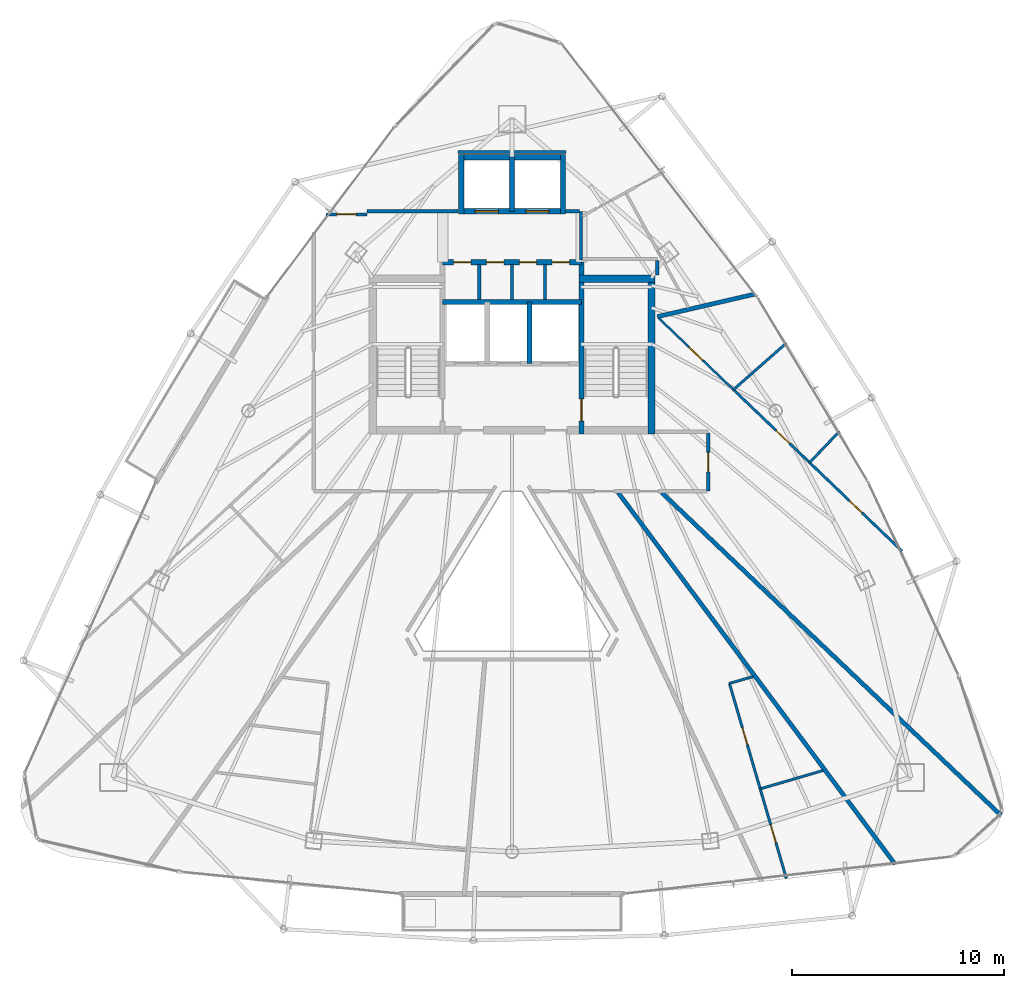
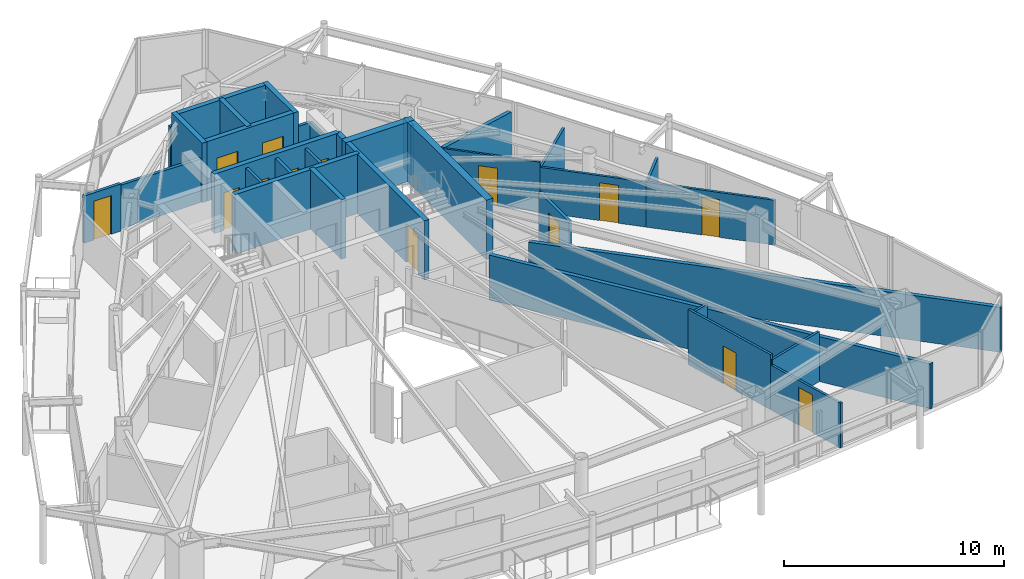
# One storey, part 28 of 32: 33 walls, 14 doors, 14 openings.
"""IFC4 building model written with IfcOpenShell, lengths in metres."""

from ifc_helpers import new_model, si_unit, direction, frame, frame_2d, origin, place, context, subcontext, project, spatial, rectangle, extrude, material, layer, layer_set, type_object, element, fill, save


model = new_model("IFC4")

# Units and contexts
model_context = context("Model", 3, precision=1e-05, world=origin(), true_north=direction((0.0, 1.0)))
body_context = subcontext(model_context, "Body", "Model", "MODEL_VIEW")
ifc_project = project(units=[si_unit("LENGTHUNIT", "METRE"), si_unit("AREAUNIT", "SQUARE_METRE"), si_unit("VOLUMEUNIT", "CUBIC_METRE"), si_unit("PLANEANGLEUNIT", "RADIAN"), si_unit("MASSUNIT", "GRAM", prefix="KILO")], contexts=[model_context])

# Site, building, storey
site_placement = place(None, origin())
site = spatial("IfcSite", under=ifc_project, at=site_placement, CompositionType="ELEMENT")
building_placement = place(site_placement, origin())
building = spatial("IfcBuilding", under=site, at=building_placement, Name="Orvanel Arch Residences", CompositionType="ELEMENT")
storey_placement = place(building_placement, frame((0.0, 0.0, 216.199951171875)))
storey = spatial("IfcBuildingStorey", under=building, at=storey_placement, Name="L61", CompositionType="ELEMENT", Elevation=216.199951171875)

# Wall, opening, door
ifc_material_1 = material(Name="Concrete N50 (50 MPa)", Category="concrete")
ifc_layer_1 = layer(ifc_material_1, 0.25)
ifc_layer_set_1 = layer_set([ifc_layer_1], Name="Concrete N50 (50 MPa)")
wall_type_1 = type_object("IfcWallType", Name="SW-CORE-250", PredefinedType="SHEAR", material=ifc_layer_set_1)
wall_1_placement = place(storey_placement, frame((36.27490234375, 26.550048828125, 0.0), z_axis=(0.0, 0.0, 1.0), x_axis=(0.0, 1.0, 0.0)))
wall_1 = element("IfcWall", 1, at=wall_1_placement, inside=storey, type_object=wall_type_1, Name="L61 East Inner Core Spine Shear Wall", PredefinedType="SHEAR", context=body_context, shape_type="SweptSolid", body=[
    extrude(rectangle(XDim=8.099853515625, YDim=0.25, at=frame_2d((4.0498046875, 0.0))), origin(), (0.0, 0.0, 1.0), 3.300048828125),
])
opening_1_placement = place(wall_1_placement, frame((0.60009765625, 0.0, 0.0)))
opening_1 = element("IfcOpeningElement", 2, at=opening_1_placement, cuts=wall_1, Name="Opening DF-120", PredefinedType="OPENING", context=body_context, shape_type="SweptSolid", body=[
    extrude(rectangle(XDim=1.050048828125, YDim=2.14990234375, at=frame_2d((0.52490234375, 1.074951171875))), frame((0.0, 0.135009765625, 0.0), z_axis=(0.0, -1.0, 0.0), x_axis=(1.0, 0.0, 0.0)), (0.0, 0.0, 1.0), 0.27001953125),
])
ifc_material_2 = material(Name="Galvanised steel fire-resisting door assembly", Category="steel")
door_type_1 = type_object("IfcDoorType", Name="DR-FD120-1050", OperationType="NOTDEFINED", PredefinedType="DOOR", material=ifc_material_2)
door_1_placement = place(opening_1_placement, origin())
door_1 = element("IfcDoor", 3, at=door_1_placement, inside=storey, type_object=door_type_1, Name="DR-L61-ST2 L61 Stair 2 Fire Door", OperationType="SINGLE_SWING_RIGHT", OverallHeight=2.14990234375, OverallWidth=1.050048828125, PredefinedType="DOOR", context=body_context, shape_type="SweptSolid", body=[
    extrude(rectangle(XDim=1.050048828125, YDim=2.14990234375, at=frame_2d((0.52490234375, 1.074951171875))), frame((0.0, 0.02490234375, 0.0), z_axis=(0.0, -1.0, 0.0), x_axis=(1.0, 0.0, 0.0)), (0.0, 0.0, 1.0), 0.050048828125),
])
fill(opening_1, door_1)

# Walls
wall_2_placement = place(storey_placement, frame((29.72509765625, 32.77490234375, 0.0), z_axis=(0.0, 0.0, 1.0), x_axis=(1.0, 0.0, 0.0)))
element("IfcWall", 4, at=wall_2_placement, inside=storey, type_object=wall_type_1, Name="L61 Emergency Lift Back Core Shear Wall", PredefinedType="SHEAR", context=body_context, shape_type="SweptSolid", body=[
    extrude(rectangle(XDim=6.5498046875, YDim=0.25, at=frame_2d((3.27490234375, 0.0))), origin(), (0.0, 0.0, 1.0), 3.300048828125),
])
wall_3_placement = place(storey_placement, frame((33.824951171875, 29.875, 0.0), z_axis=(0.0, 0.0, 1.0), x_axis=(0.0, 1.0, 0.0)))
element("IfcWall", 5, at=wall_3_placement, inside=storey, type_object=wall_type_1, Name="L61 Emergency Lift Inter-Shaft Wall F2G", PredefinedType="SHEAR", context=body_context, shape_type="SweptSolid", body=[
    extrude(rectangle(XDim=2.89990234375, YDim=0.25, at=frame_2d((1.449951171875, 0.0))), origin(), (0.0, 0.0, 1.0), 3.300048828125),
])

# Wall, openings, doors
wall_4_placement = place(storey_placement, frame((29.72509765625, 34.64990234375, 0.0), z_axis=(0.0, 0.0, 1.0), x_axis=(1.0, 0.0, 0.0)))
wall_4 = element("IfcWall", 6, at=wall_4_placement, inside=storey, type_object=wall_type_1, Name="L61 Core Service Band North Shear Wall", PredefinedType="SHEAR", context=body_context, shape_type="SweptSolid", body=[
    extrude(rectangle(XDim=6.5498046875, YDim=0.25, at=frame_2d((3.27490234375, 0.0))), origin(), (0.0, 0.0, 1.0), 3.300048828125),
])
opening_2_placement = place(wall_4_placement, frame((0.514892578125, 0.0, 0.0)))
opening_2 = element("IfcOpeningElement", 7, at=opening_2_placement, cuts=wall_4, Name="Opening DS-082", PredefinedType="OPENING", context=body_context, shape_type="SweptSolid", body=[
    extrude(rectangle(XDim=0.820068359375, YDim=2.10009765625, at=frame_2d((0.41015625, 1.050048828125))), frame((0.0, 0.135009765625, 0.0), z_axis=(0.0, -1.0, 0.0), x_axis=(1.0, 0.0, 0.0)), (0.0, 0.0, 1.0), 0.27001953125),
])
opening_3_placement = place(wall_4_placement, frame((2.06494140625, 0.0, 0.0)))
opening_3 = element("IfcOpeningElement", 8, at=opening_3_placement, cuts=wall_4, Name="Opening DS-082", PredefinedType="OPENING", context=body_context, shape_type="SweptSolid", body=[
    extrude(rectangle(XDim=0.820068359375, YDim=2.10009765625, at=frame_2d((0.41015625, 1.050048828125))), frame((0.0, 0.135009765625, 0.0), z_axis=(0.0, -1.0, 0.0), x_axis=(1.0, 0.0, 0.0)), (0.0, 0.0, 1.0), 0.27001953125),
])
opening_4_placement = place(wall_4_placement, frame((3.614990234375, 0.0, 0.0)))
opening_4 = element("IfcOpeningElement", 9, at=opening_4_placement, cuts=wall_4, Name="Opening DS-082", PredefinedType="OPENING", context=body_context, shape_type="SweptSolid", body=[
    extrude(rectangle(XDim=0.820068359375, YDim=2.10009765625, at=frame_2d((0.41015625, 1.050048828125))), frame((0.0, 0.135009765625, 0.0), z_axis=(0.0, -1.0, 0.0), x_axis=(1.0, 0.0, 0.0)), (0.0, 0.0, 1.0), 0.27001953125),
])
opening_5_placement = place(wall_4_placement, frame((5.1650390625, 0.0, 0.0)))
opening_5 = element("IfcOpeningElement", 10, at=opening_5_placement, cuts=wall_4, Name="Opening DS-082", PredefinedType="OPENING", context=body_context, shape_type="SweptSolid", body=[
    extrude(rectangle(XDim=0.820068359375, YDim=2.10009765625, at=frame_2d((0.41015625, 1.050048828125))), frame((0.0, 0.135009765625, 0.0), z_axis=(0.0, -1.0, 0.0), x_axis=(1.0, 0.0, 0.0)), (0.0, 0.0, 1.0), 0.27001953125),
])
door_type_2 = type_object("IfcDoorType", Name="DR-SVC-820", OperationType="NOTDEFINED", PredefinedType="DOOR", material=ifc_material_2)
door_2_placement = place(opening_2_placement, origin())
door_2 = element("IfcDoor", 11, at=door_2_placement, inside=storey, type_object=door_type_2, Name="DR-L61-CSVC-1 L61 Linen Store Door", OperationType="SINGLE_SWING_LEFT", OverallHeight=2.10009765625, OverallWidth=0.820068359375, PredefinedType="DOOR", context=body_context, shape_type="SweptSolid", body=[
    extrude(rectangle(XDim=0.820068359375, YDim=2.10009765625, at=frame_2d((0.41015625, 1.050048828125))), frame((0.0, 0.02490234375, 0.0), z_axis=(0.0, -1.0, 0.0), x_axis=(1.0, 0.0, 0.0)), (0.0, 0.0, 1.0), 0.050048828125),
])
fill(opening_2, door_2)
door_3_placement = place(opening_3_placement, origin())
door_3 = element("IfcDoor", 12, at=door_3_placement, inside=storey, type_object=door_type_2, Name="DR-L61-CSVC-2 L61 Cleaner's Store Door", OperationType="SINGLE_SWING_LEFT", OverallHeight=2.10009765625, OverallWidth=0.820068359375, PredefinedType="DOOR", context=body_context, shape_type="SweptSolid", body=[
    extrude(rectangle(XDim=0.820068359375, YDim=2.10009765625, at=frame_2d((0.41015625, 1.050048828125))), frame((0.0, 0.02490234375, 0.0), z_axis=(0.0, -1.0, 0.0), x_axis=(1.0, 0.0, 0.0)), (0.0, 0.0, 1.0), 0.050048828125),
])
fill(opening_3, door_3)
door_4_placement = place(opening_4_placement, origin())
door_4 = element("IfcDoor", 13, at=door_4_placement, inside=storey, type_object=door_type_2, Name="DR-L61-CSVC-3 L61 Electrical Meter Store Door", OperationType="SINGLE_SWING_LEFT", OverallHeight=2.10009765625, OverallWidth=0.820068359375, PredefinedType="DOOR", context=body_context, shape_type="SweptSolid", body=[
    extrude(rectangle(XDim=0.820068359375, YDim=2.10009765625, at=frame_2d((0.41015625, 1.050048828125))), frame((0.0, 0.02490234375, 0.0), z_axis=(0.0, -1.0, 0.0), x_axis=(1.0, 0.0, 0.0)), (0.0, 0.0, 1.0), 0.050048828125),
])
fill(opening_4, door_4)
door_5_placement = place(opening_5_placement, origin())
door_5 = element("IfcDoor", 14, at=door_5_placement, inside=storey, type_object=door_type_2, Name="DR-L61-CSVC-4 L61 Housekeeping Supply Store Door", OperationType="SINGLE_SWING_LEFT", OverallHeight=2.10009765625, OverallWidth=0.820068359375, PredefinedType="DOOR", context=body_context, shape_type="SweptSolid", body=[
    extrude(rectangle(XDim=0.820068359375, YDim=2.10009765625, at=frame_2d((0.41015625, 1.050048828125))), frame((0.0, 0.02490234375, 0.0), z_axis=(0.0, -1.0, 0.0), x_axis=(1.0, 0.0, 0.0)), (0.0, 0.0, 1.0), 0.050048828125),
])
fill(opening_5, door_5)

wall_5_placement = place(storey_placement, frame((35.52490234375, 37.050048828125, 0.0), z_axis=(0.0, 0.0, 1.0), x_axis=(-1.0, 0.0, 0.0)))
wall_5 = element("IfcWall", 15, at=wall_5_placement, inside=storey, type_object=wall_type_1, Name="L61 Passenger Lift Bank Front Shear Wall", PredefinedType="SHEAR", context=body_context, shape_type="SweptSolid", body=[
    extrude(rectangle(XDim=5.0498046875, YDim=0.25, at=frame_2d((2.52490234375, 0.0))), origin(), (0.0, 0.0, 1.0), 3.300048828125),
])
opening_6_placement = place(wall_5_placement, frame((3.175048828125, 0.0, 0.0)))
opening_6 = element("IfcOpeningElement", 16, at=opening_6_placement, cuts=wall_5, Name="Opening LD-110", PredefinedType="OPENING", context=body_context, shape_type="SweptSolid", body=[
    extrude(rectangle(XDim=1.10009765625, YDim=2.199951171875, at=frame_2d((0.550048828125, 1.10009765625))), frame((0.0, 0.135009765625, 0.0), z_axis=(0.0, -1.0, 0.0), x_axis=(1.0, 0.0, 0.0)), (0.0, 0.0, 1.0), 0.27001953125),
])
opening_7_placement = place(wall_5_placement, frame((0.77490234375, 0.0, 0.0)))
opening_7 = element("IfcOpeningElement", 17, at=opening_7_placement, cuts=wall_5, Name="Opening LD-110", PredefinedType="OPENING", context=body_context, shape_type="SweptSolid", body=[
    extrude(rectangle(XDim=1.10009765625, YDim=2.199951171875, at=frame_2d((0.550048828125, 1.10009765625))), frame((0.0, 0.135009765625, 0.0), z_axis=(0.0, -1.0, 0.0), x_axis=(1.0, 0.0, 0.0)), (0.0, 0.0, 1.0), 0.27001953125),
])
door_type_3 = type_object("IfcDoorType", Name="DR-LFT-1100", OperationType="NOTDEFINED", PredefinedType="DOOR", material=ifc_material_2)
door_6_placement = place(opening_6_placement, origin())
door_6 = element("IfcDoor", 18, at=door_6_placement, inside=storey, type_object=door_type_3, Name="LD-P5-L61 L61 Passenger Lift P5 Sliding Landing Door", OperationType="DOUBLE_DOOR_SLIDING", OverallHeight=2.199951171875, OverallWidth=1.10009765625, PredefinedType="DOOR", context=body_context, shape_type="SweptSolid", body=[
    extrude(rectangle(XDim=1.10009765625, YDim=2.199951171875, at=frame_2d((0.550048828125, 1.10009765625))), frame((0.0, 0.02490234375, 0.0), z_axis=(0.0, -1.0, 0.0), x_axis=(1.0, 0.0, 0.0)), (0.0, 0.0, 1.0), 0.050048828125),
])
fill(opening_6, door_6)
door_7_placement = place(opening_7_placement, origin())
door_7 = element("IfcDoor", 19, at=door_7_placement, inside=storey, type_object=door_type_3, Name="LD-P6-L61 L61 Passenger Lift P6 Sliding Landing Door", OperationType="DOUBLE_DOOR_SLIDING", OverallHeight=2.199951171875, OverallWidth=1.10009765625, PredefinedType="DOOR", context=body_context, shape_type="SweptSolid", body=[
    extrude(rectangle(XDim=1.10009765625, YDim=2.199951171875, at=frame_2d((0.550048828125, 1.10009765625))), frame((0.0, 0.02490234375, 0.0), z_axis=(0.0, -1.0, 0.0), x_axis=(1.0, 0.0, 0.0)), (0.0, 0.0, 1.0), 0.050048828125),
])
fill(opening_7, door_7)

# Walls
wall_6_placement = place(storey_placement, frame((30.47509765625, 39.60009765625, 0.0), z_axis=(0.0, 0.0, 1.0), x_axis=(1.0, 0.0, 0.0)))
element("IfcWall", 20, at=wall_6_placement, inside=storey, type_object=wall_type_1, Name="L61 Passenger Lift Bank North Shear Wall", PredefinedType="SHEAR", context=body_context, shape_type="SweptSolid", body=[
    extrude(rectangle(XDim=5.0498046875, YDim=0.25, at=frame_2d((2.52490234375, 0.0))), origin(), (0.0, 0.0, 1.0), 3.300048828125),
])
for number, where, z_axis, x_axis, name in (
    (21, (30.60009765625, 36.925048828125, 0.0), (0.0, 0.0, 1.0), (0.0, 1.0, 0.0), "L61 Passenger Lift Bank West Shear Wall"),
    (22, (35.39990234375, 36.925048828125, 0.0), (0.0, 0.0, 1.0), (0.0, 1.0, 0.0), "L61 Passenger Lift Bank East Shear Wall"),
):
    element("IfcWall", number, at=place(storey_placement, frame(where, z_axis=z_axis, x_axis=x_axis)), inside=storey, type_object=wall_type_1, Name=name, PredefinedType="SHEAR", context=body_context, shape_type="SweptSolid", body=[
        extrude(rectangle(XDim=2.800048828125, YDim=0.25, at=frame_2d((1.39990234375, 0.0))), origin(), (0.0, 0.0, 1.0), 3.300048828125),
    ])
wall_7_placement = place(storey_placement, frame((33.0, 37.050048828125, 0.0), z_axis=(0.0, 0.0, 1.0), x_axis=(0.0, 1.0, 0.0)))
element("IfcWall", 23, at=wall_7_placement, inside=storey, type_object=wall_type_1, Name="L61 Passenger Lift Inter-Shaft Wall P56", PredefinedType="SHEAR", context=body_context, shape_type="SweptSolid", body=[
    extrude(rectangle(XDim=2.550048828125, YDim=0.25, at=frame_2d((1.27490234375, 0.0))), origin(), (0.0, 0.0, 1.0), 3.300048828125),
])
ifc_layer_2 = layer(ifc_material_1, 0.35009765625)
ifc_layer_set_2 = layer_set([ifc_layer_2], Name="Concrete N50 (50 MPa)")
wall_type_2 = type_object("IfcWallType", Name="SW-CORE-350", PredefinedType="SHEAR", material=ifc_layer_set_2)
wall_8_placement = place(storey_placement, frame((39.574951171875, 26.550048828125, 0.0), z_axis=(0.0, 0.0, 1.0), x_axis=(0.0, 1.0, 0.0)))
element("IfcWall", 24, at=wall_8_placement, inside=storey, type_object=wall_type_2, Name="L61 East Stair Shear Wall", PredefinedType="SHEAR", context=body_context, shape_type="SweptSolid", body=[
    extrude(rectangle(XDim=7.5, YDim=0.35009765625, at=frame_2d((3.75, 0.0))), origin(), (0.0, 0.0, 1.0), 3.300048828125),
])
wall_9_placement = place(storey_placement, frame((36.14990234375, 33.875, 0.0), z_axis=(0.0, 0.0, 1.0), x_axis=(1.0, 0.0, 0.0)))
element("IfcWall", 25, at=wall_9_placement, inside=storey, type_object=wall_type_2, Name="L61 East Stair North Shear Wall", PredefinedType="SHEAR", context=body_context, shape_type="SweptSolid", body=[
    extrude(rectangle(XDim=3.60009765625, YDim=0.35009765625, at=frame_2d((1.800048828125, 0.0))), origin(), (0.0, 0.0, 1.0), 3.300048828125),
])
ifc_material_3 = material(Name="Fire-rated plasterboard lined steel stud partition", Category="steel")
ifc_layer_3 = layer(ifc_material_3, 0.14990234375)
ifc_layer_set_3 = layer_set([ifc_layer_3], Name="Fire-rated plasterboard lined steel stud partition")
wall_type_3 = type_object("IfcWallType", Name="W-COR-150", PredefinedType="PARTITIONING", material=ifc_layer_set_3)
wall_10_placement = place(storey_placement, frame((36.25, 34.760009765625, 0.0), z_axis=(0.0, 0.0, 1.0), x_axis=(0.0, 1.0, 0.0)))
element("IfcWall", 26, at=wall_10_placement, inside=storey, type_object=wall_type_3, Name="L61 Passenger Lift Lobby East Closure Wall", PredefinedType="PARTITIONING", context=body_context, shape_type="SweptSolid", body=[
    extrude(rectangle(XDim=2.2900390625, YDim=0.14990234375, at=frame_2d((1.14501953125, 0.0))), origin(), (0.0, 0.0, 1.0), 2.425048828125),
])
wall_11_placement = place(storey_placement, frame((35.52490234375, 37.050048828125, 0.0), z_axis=(0.0, 0.0, 1.0), x_axis=(1.0, 0.0, 0.0)))
element("IfcWall", 27, at=wall_11_placement, inside=storey, type_object=wall_type_3, Name="L61 Passenger Lift Lobby North-East Wall", PredefinedType="PARTITIONING", context=body_context, shape_type="SweptSolid", body=[
    extrude(rectangle(XDim=0.6650390625, YDim=0.14990234375, at=frame_2d((0.33251953125, 0.0))), origin(), (0.0, 0.0, 1.0), 2.425048828125),
])

# Wall, opening, door
wall_12_placement = place(storey_placement, frame((24.22607421875, 36.89990234375, 0.0), z_axis=(0.0, 0.0, 1.0), x_axis=(1.0, 0.0, 0.0)))
wall_12 = element("IfcWall", 28, at=wall_12_placement, inside=storey, type_object=wall_type_3, Name="L61 Corridor Fire-Rated Partition", PredefinedType="PARTITIONING", context=body_context, shape_type="SweptSolid", body=[
    extrude(rectangle(XDim=1.923828125, YDim=0.14990234375, at=frame_2d((0.9619140625, 0.0))), origin(), (0.0, 0.0, 1.0), 2.619140625),
])
opening_8_placement = place(wall_12_placement, frame((0.501953125, 0.0, 0.0)))
opening_8 = element("IfcOpeningElement", 29, at=opening_8_placement, cuts=wall_12, Name="Opening DA-092", PredefinedType="OPENING", context=body_context, shape_type="SweptSolid", body=[
    extrude(rectangle(XDim=0.919921875, YDim=2.14990234375, at=frame_2d((0.4599609375, 1.074951171875))), frame((0.0, 0.0849609375, 0.0), z_axis=(0.0, -1.0, 0.0), x_axis=(1.0, 0.0, 0.0)), (0.0, 0.0, 1.0), 0.169921875),
])
ifc_material_4 = material(Name="Solid-core European oak veneer fire door leaf", Category="wood")
door_type_4 = type_object("IfcDoorType", Name="DR-APT-920", OperationType="NOTDEFINED", PredefinedType="DOOR", material=ifc_material_4)
door_8_placement = place(opening_8_placement, origin())
door_8 = element("IfcDoor", 30, at=door_8_placement, inside=storey, type_object=door_type_4, Name="DR-L61-E-ENT L61 Studio E Entrance Door", OperationType="SINGLE_SWING_RIGHT", OverallHeight=2.14990234375, OverallWidth=0.919921875, PredefinedType="DOOR", context=body_context, shape_type="SweptSolid", body=[
    extrude(rectangle(XDim=0.919921875, YDim=2.14990234375, at=frame_2d((0.4599609375, 1.074951171875))), frame((0.0, 0.02490234375, 0.0), z_axis=(0.0, -1.0, 0.0), x_axis=(1.0, 0.0, 0.0)), (0.0, 0.0, 1.0), 0.050048828125),
])
fill(opening_8, door_8)

wall_13_placement = place(storey_placement, frame((42.25, 26.590087890625, 0.0), z_axis=(0.0, 0.0, 1.0), x_axis=(0.0, -1.0, 0.0)))
wall_13 = element("IfcWall", 31, at=wall_13_placement, inside=storey, type_object=wall_type_3, Name="L61 Corridor Fire-Rated Partition", PredefinedType="PARTITIONING", context=body_context, shape_type="SweptSolid", body=[
    extrude(rectangle(XDim=2.739990234375, YDim=0.14990234375, at=frame_2d((1.3701171875, 0.0))), origin(), (0.0, 0.0, 1.0), 2.77294921875),
])
opening_9_placement = place(wall_13_placement, frame((0.909912109375, 0.0, 0.0)))
opening_9 = element("IfcOpeningElement", 32, at=opening_9_placement, cuts=wall_13, Name="Opening DA-092", PredefinedType="OPENING", context=body_context, shape_type="SweptSolid", body=[
    extrude(rectangle(XDim=0.919921875, YDim=2.14990234375, at=frame_2d((0.4599609375, 1.074951171875))), frame((0.0, 0.0849609375, 0.0), z_axis=(0.0, -1.0, 0.0), x_axis=(1.0, 0.0, 0.0)), (0.0, 0.0, 1.0), 0.169921875),
])
door_9_placement = place(opening_9_placement, origin())
door_9 = element("IfcDoor", 33, at=door_9_placement, inside=storey, type_object=door_type_4, Name="DR-L61-B-ENT L61 Studio B Entrance Door", OperationType="SINGLE_SWING_LEFT", OverallHeight=2.14990234375, OverallWidth=0.919921875, PredefinedType="DOOR", context=body_context, shape_type="SweptSolid", body=[
    extrude(rectangle(XDim=0.919921875, YDim=2.14990234375, at=frame_2d((0.4599609375, 1.074951171875))), frame((0.0, 0.02490234375, 0.0), z_axis=(0.0, -1.0, 0.0), x_axis=(1.0, 0.0, 0.0)), (0.0, 0.0, 1.0), 0.050048828125),
])
fill(opening_9, door_9)

# Walls
wall_14_placement = place(storey_placement, frame((26.14990234375, 37.050048828125, 0.0), z_axis=(0.0, 0.0, 1.0), x_axis=(1.0, 0.0, 0.0)))
element("IfcWall", 34, at=wall_14_placement, inside=storey, type_object=wall_type_3, Name="L61 Core Perimeter Partition", PredefinedType="PARTITIONING", context=body_context, shape_type="SweptSolid", body=[
    extrude(rectangle(XDim=4.300048828125, YDim=0.14990234375, at=frame_2d((2.14990234375, 0.0))), origin(), (0.0, 0.0, 1.0), 2.425048828125),
])
wall_15_placement = place(storey_placement, frame((30.449951171875, 39.85009765625, 0.0), z_axis=(0.0, 0.0, 1.0), x_axis=(1.0, 0.0, 0.0)))
element("IfcWall", 35, at=wall_15_placement, inside=storey, type_object=wall_type_3, Name="L61 Core Perimeter Partition", PredefinedType="PARTITIONING", context=body_context, shape_type="SweptSolid", body=[
    extrude(rectangle(XDim=5.10009765625, YDim=0.14990234375, at=frame_2d((2.550048828125, 0.0))), origin(), (0.0, 0.0, 1.0), 2.491943359375),
])
wall_16_placement = place(storey_placement, frame((39.85009765625, 34.739990234375, 0.0), z_axis=(0.0, 0.0, 1.0), x_axis=(0.0, -1.0, 0.0)))
element("IfcWall", 36, at=wall_16_placement, inside=storey, type_object=wall_type_3, Name="L61 Core Perimeter Partition", PredefinedType="PARTITIONING", context=body_context, shape_type="SweptSolid", body=[
    extrude(rectangle(XDim=0.68994140625, YDim=0.14990234375, at=frame_2d((0.344970703125, 0.0))), origin(), (0.0, 0.0, 1.0), 2.77294921875),
])
ifc_layer_4 = layer(ifc_material_3, 0.199951171875)
ifc_layer_set_4 = layer_set([ifc_layer_4], Name="Fire-rated plasterboard lined steel stud partition")
wall_type_4 = type_object("IfcWallType", Name="W-DEM-200", PredefinedType="PARTITIONING", material=ifc_layer_set_4)
wall_17_placement = place(storey_placement, frame((39.85009765625, 32.0810546875, 0.0), z_axis=(0.0, 0.0, 1.0), x_axis=(0.974339670333, 0.225082666628, 0.0)))
element("IfcWall", 37, at=wall_17_placement, inside=storey, type_object=wall_type_4, Name="L61 Inter-Tenancy Acoustic Demising Wall", PredefinedType="PARTITIONING", context=body_context, shape_type="SweptSolid", body=[
    extrude(rectangle(XDim=4.7138671875, YDim=0.199951171875, at=frame_2d((2.35693359375, 0.0))), origin(), (0.0, 0.0, 1.0), 2.491943359375),
])
wall_18_placement = place(storey_placement, frame((56.05908203125, 8.56298828125, 0.0), z_axis=(0.0, 0.0, 1.0), x_axis=(-0.724518891706, 0.689254942355, 0.0)))
element("IfcWall", 38, at=wall_18_placement, inside=storey, type_object=wall_type_4, Name="L61 Inter-Tenancy Acoustic Demising Wall", PredefinedType="PARTITIONING", context=body_context, shape_type="SweptSolid", body=[
    extrude(rectangle(XDim=22.092041015625, YDim=0.199951171875, at=frame_2d((11.0458984375, 0.0))), origin(), (0.0, 0.0, 1.0), 2.491943359375),
])
wall_19_placement = place(storey_placement, frame((51.072021484375, 6.2509765625, 0.0), z_axis=(0.0, 0.0, 1.0), x_axis=(-0.59756139073, 0.801823162742, 0.0)))
element("IfcWall", 39, at=wall_19_placement, inside=storey, type_object=wall_type_4, Name="L61 Inter-Tenancy Acoustic Demising Wall", PredefinedType="PARTITIONING", context=body_context, shape_type="SweptSolid", body=[
    extrude(rectangle(XDim=21.8740234375, YDim=0.199951171875, at=frame_2d((10.93701171875, 0.0))), origin(), (0.0, 0.0, 1.0), 2.491943359375),
])

# Wall, opening, door
ifc_material_5 = material(Name="Acoustic plasterboard lined twin-stud partition", Category="gypsum")
ifc_layer_5 = layer(ifc_material_5, 0.10009765625)
ifc_layer_set_5 = layer_set([ifc_layer_5], Name="Acoustic plasterboard lined twin-stud partition")
wall_type_5 = type_object("IfcWallType", Name="W-INT-100", PredefinedType="PARTITIONING", material=ifc_layer_set_5)
wall_20_placement = place(storey_placement, frame((39.91796875, 32.010009765625, 0.0), z_axis=(0.0, 0.0, 1.0), x_axis=(0.722311203135, -0.691568164266, 0.0)))
wall_20 = element("IfcWall", 40, at=wall_20_placement, inside=storey, type_object=wall_type_5, Name="L61 Studio B Internal Partition", PredefinedType="PARTITIONING", context=body_context, shape_type="SweptSolid", body=[
    extrude(rectangle(XDim=4.8759765625, YDim=0.10009765625, at=frame_2d((2.43798828125, 0.0))), origin(), (0.0, 0.0, 1.0), 2.77294921875),
])
opening_10_placement = place(wall_20_placement, frame((1.998046875, 0.0, 0.0)))
opening_10 = element("IfcOpeningElement", 41, at=opening_10_placement, cuts=wall_20, Name="Opening DI-088", PredefinedType="OPENING", context=body_context, shape_type="SweptSolid", body=[
    extrude(rectangle(XDim=0.8798828125, YDim=2.10009765625, at=frame_2d((0.43994140625, 1.050048828125))), frame((0.0, 0.06005859375, 0.0), z_axis=(0.0, -1.0, 0.0), x_axis=(1.0, 0.0, 0.0)), (0.0, 0.0, 1.0), 0.1201171875),
])
door_type_5 = type_object("IfcDoorType", Name="DR-INT-880", OperationType="NOTDEFINED", PredefinedType="DOOR", material=ifc_material_4)
door_10_placement = place(opening_10_placement, origin())
door_10 = element("IfcDoor", 42, at=door_10_placement, inside=storey, type_object=door_type_5, Name="DR-L61-B-AME1 L61 Studio B Resident Reading Library 1 Door", OperationType="SINGLE_SWING_LEFT", OverallHeight=2.10009765625, OverallWidth=0.8798828125, PredefinedType="DOOR", context=body_context, shape_type="SweptSolid", body=[
    extrude(rectangle(XDim=0.8798828125, YDim=2.10009765625, at=frame_2d((0.43994140625, 1.050048828125))), frame((0.0, 0.02490234375, 0.0), z_axis=(0.0, -1.0, 0.0), x_axis=(1.0, 0.0, 0.0)), (0.0, 0.0, 1.0), 0.050048828125),
])
fill(opening_10, door_10)

# Walls
ifc_layer_6 = layer(ifc_material_3, 0.14990234375)
ifc_layer_set_6 = layer_set([ifc_layer_6], Name="Fire-rated plasterboard lined steel stud partition")
wall_type_6 = type_object("IfcWallType", Name="W-ST-150", PredefinedType="PARTITIONING", material=ifc_layer_set_6)
for number, where, z_axis, x_axis, name in (
    (43, (31.449951171875, 32.885009765625, 0.0), (0.0, 0.0, 1.0), (0.0, 1.0, 0.0), "L61 Core Service Partition 1"),
    (44, (33.0, 32.885009765625, 0.0), (0.0, 0.0, 1.0), (0.0, 1.0, 0.0), "L61 Core Service Partition 2"),
    (45, (34.550048828125, 32.885009765625, 0.0), (0.0, 0.0, 1.0), (0.0, 1.0, 0.0), "L61 Core Service Partition 3"),
):
    element("IfcWall", number, at=place(storey_placement, frame(where, z_axis=z_axis, x_axis=x_axis)), inside=storey, type_object=wall_type_6, Name=name, PredefinedType="PARTITIONING", context=body_context, shape_type="SweptSolid", body=[
        extrude(rectangle(XDim=1.655029296875, YDim=0.14990234375, at=frame_2d((0.82763671875, 0.0))), origin(), (0.0, 0.0, 1.0), 3.06005859375),
    ])

# Wall, opening, door
ifc_layer_7 = layer(ifc_material_5, 0.1201171875)
ifc_layer_set_7 = layer_set([ifc_layer_7], Name="Acoustic plasterboard lined twin-stud partition")
wall_type_7 = type_object("IfcWallType", Name="W-WET-120", PredefinedType="PARTITIONING", material=ifc_layer_set_7)
wall_21_placement = place(storey_placement, frame((47.030029296875, 25.199951171875, 0.0), z_axis=(0.0, 0.0, 1.0), x_axis=(0.722345830301, -0.691531995968, 0.0)))
wall_21 = element("IfcWall", 46, at=wall_21_placement, inside=storey, type_object=wall_type_7, Name="L61 Studio B Bathroom Partition", PredefinedType="PARTITIONING", context=body_context, shape_type="SweptSolid", body=[
    extrude(rectangle(XDim=6.037353515625, YDim=0.1201171875, at=frame_2d((3.0185546875, 0.0))), origin(), (0.0, 0.0, 1.0), 2.491943359375),
])
opening_11_placement = place(wall_21_placement, frame((2.60888671875, 0.0, 0.0)))
opening_11 = element("IfcOpeningElement", 47, at=opening_11_placement, cuts=wall_21, Name="Opening DW-082", PredefinedType="OPENING", context=body_context, shape_type="SweptSolid", body=[
    extrude(rectangle(XDim=0.820068359375, YDim=2.10009765625, at=frame_2d((0.41015625, 1.050048828125))), frame((0.0, 0.070068359375, 0.0), z_axis=(0.0, -1.0, 0.0), x_axis=(1.0, 0.0, 0.0)), (0.0, 0.0, 1.0), 0.14013671875),
])
door_type_6 = type_object("IfcDoorType", Name="DR-WET-820", OperationType="NOTDEFINED", PredefinedType="DOOR", material=ifc_material_4)
door_11_placement = place(opening_11_placement, origin())
door_11 = element("IfcDoor", 48, at=door_11_placement, inside=storey, type_object=door_type_6, Name="DR-L61-B-BATH L61 Studio B Bathroom Door", OperationType="SINGLE_SWING_RIGHT", OverallHeight=2.10009765625, OverallWidth=0.820068359375, PredefinedType="DOOR", context=body_context, shape_type="SweptSolid", body=[
    extrude(rectangle(XDim=0.820068359375, YDim=2.10009765625, at=frame_2d((0.41015625, 1.050048828125))), frame((0.0, 0.02490234375, 0.0), z_axis=(0.0, -1.0, 0.0), x_axis=(1.0, 0.0, 0.0)), (0.0, 0.0, 1.0), 0.050048828125),
])
fill(opening_11, door_11)

wall_22_placement = place(storey_placement, frame((43.43994140625, 28.637939453125, 0.0), z_axis=(0.0, 0.0, 1.0), x_axis=(0.722240667523, -0.691641827954, 0.0)))
wall_22 = element("IfcWall", 49, at=wall_22_placement, inside=storey, type_object=wall_type_7, Name="L61 Studio B Internal Partition", PredefinedType="PARTITIONING", context=body_context, shape_type="SweptSolid", body=[
    extrude(rectangle(XDim=4.970703125, YDim=0.1201171875, at=frame_2d((2.4853515625, 0.0))), origin(), (0.0, 0.0, 1.0), 2.491943359375),
])
opening_12_placement = place(wall_22_placement, frame((2.784912109375, 0.0, 0.0)))
opening_12 = element("IfcOpeningElement", 50, at=opening_12_placement, cuts=wall_22, Name="Opening DI-088", PredefinedType="OPENING", context=body_context, shape_type="SweptSolid", body=[
    extrude(rectangle(XDim=0.8798828125, YDim=2.10009765625, at=frame_2d((0.43994140625, 1.050048828125))), frame((0.0, 0.070068359375, 0.0), z_axis=(0.0, -1.0, 0.0), x_axis=(1.0, 0.0, 0.0)), (0.0, 0.0, 1.0), 0.14013671875),
])
door_12_placement = place(opening_12_placement, origin())
door_12 = element("IfcDoor", 51, at=door_12_placement, inside=storey, type_object=door_type_5, Name="DR-L61-B-KIT L61 Studio B Kitchenette Door", OperationType="SINGLE_SWING_LEFT", OverallHeight=2.10009765625, OverallWidth=0.8798828125, PredefinedType="DOOR", context=body_context, shape_type="SweptSolid", body=[
    extrude(rectangle(XDim=0.8798828125, YDim=2.10009765625, at=frame_2d((0.43994140625, 1.050048828125))), frame((0.0, 0.02490234375, 0.0), z_axis=(0.0, -1.0, 0.0), x_axis=(1.0, 0.0, 0.0)), (0.0, 0.0, 1.0), 0.050048828125),
])
fill(opening_12, door_12)

# Walls
wall_23_placement = place(storey_placement, frame((47.030029296875, 25.199951171875, 0.0), z_axis=(0.0, 0.0, 1.0), x_axis=(0.691459612883, 0.722415118717, 0.0)))
element("IfcWall", 52, at=wall_23_placement, inside=storey, type_object=wall_type_7, Name="L61 Studio B Bathroom Partition", PredefinedType="PARTITIONING", context=body_context, shape_type="SweptSolid", body=[
    extrude(rectangle(XDim=2.034912109375, YDim=0.1201171875, at=frame_2d((1.017578125, 0.0))), origin(), (0.0, 0.0, 1.0), 2.491943359375),
])
wall_24_placement = place(storey_placement, frame((43.43994140625, 28.637939453125, 0.0), z_axis=(0.0, 0.0, 1.0), x_axis=(0.750679989093, 0.66066599275, 0.0)))
element("IfcWall", 53, at=wall_24_placement, inside=storey, type_object=wall_type_7, Name="L61 Studio B Internal Partition", PredefinedType="PARTITIONING", context=body_context, shape_type="SweptSolid", body=[
    extrude(rectangle(XDim=3.322509765625, YDim=0.1201171875, at=frame_2d((1.6611328125, 0.0))), origin(), (0.0, 0.0, 1.0), 2.491943359375),
])
wall_25_placement = place(storey_placement, frame((44.363037109375, 15.110107421875, 0.0), z_axis=(0.0, 0.0, 1.0), x_axis=(-0.960030681494, -0.279894784857, 0.0)))
element("IfcWall", 54, at=wall_25_placement, inside=storey, type_object=wall_type_7, Name="L61 Studio H Bathroom Partition", PredefinedType="PARTITIONING", context=body_context, shape_type="SweptSolid", body=[
    extrude(rectangle(XDim=1.158447265625, YDim=0.1201171875, at=frame_2d((0.5791015625, 0.0))), origin(), (0.0, 0.0, 1.0), 2.77294921875),
])

# Wall, opening, door
wall_26_placement = place(storey_placement, frame((43.2509765625, 14.785888671875, 0.0), z_axis=(0.0, 0.0, 1.0), x_axis=(0.280190088139, -0.959944537204, 0.0)))
wall_26 = element("IfcWall", 55, at=wall_26_placement, inside=storey, type_object=wall_type_7, Name="L61 Studio H Bathroom Partition", PredefinedType="PARTITIONING", context=body_context, shape_type="SweptSolid", body=[
    extrude(rectangle(XDim=5.178466796875, YDim=0.1201171875, at=frame_2d((2.58935546875, 0.0))), origin(), (0.0, 0.0, 1.0), 3.06005859375),
])
opening_13_placement = place(wall_26_placement, frame((2.178955078125, 0.0, 0.0)))
opening_13 = element("IfcOpeningElement", 56, at=opening_13_placement, cuts=wall_26, Name="Opening DW-082", PredefinedType="OPENING", context=body_context, shape_type="SweptSolid", body=[
    extrude(rectangle(XDim=0.820068359375, YDim=2.10009765625, at=frame_2d((0.41015625, 1.050048828125))), frame((0.0, 0.070068359375, 0.0), z_axis=(0.0, -1.0, 0.0), x_axis=(1.0, 0.0, 0.0)), (0.0, 0.0, 1.0), 0.14013671875),
])
door_13_placement = place(opening_13_placement, origin())
door_13 = element("IfcDoor", 57, at=door_13_placement, inside=storey, type_object=door_type_6, Name="DR-L61-H-BATH L61 Studio H Bathroom Door", OperationType="SINGLE_SWING_RIGHT", OverallHeight=2.10009765625, OverallWidth=0.820068359375, PredefinedType="DOOR", context=body_context, shape_type="SweptSolid", body=[
    extrude(rectangle(XDim=0.820068359375, YDim=2.10009765625, at=frame_2d((0.41015625, 1.050048828125))), frame((0.0, 0.02490234375, 0.0), z_axis=(0.0, -1.0, 0.0), x_axis=(1.0, 0.0, 0.0)), (0.0, 0.0, 1.0), 0.050048828125),
])
fill(opening_13, door_13)

wall_27_placement = place(storey_placement, frame((44.701904296875, 9.81494140625, 0.0), z_axis=(0.0, 0.0, 1.0), x_axis=(0.28033432121, -0.959902426474, 0.0)))
wall_27 = element("IfcWall", 58, at=wall_27_placement, inside=storey, type_object=wall_type_7, Name="L61 Studio H Internal Partition", PredefinedType="PARTITIONING", context=body_context, shape_type="SweptSolid", body=[
    extrude(rectangle(XDim=4.40234375, YDim=0.1201171875, at=frame_2d((2.201171875, 0.0))), origin(), (0.0, 0.0, 1.0), 2.491943359375),
])
opening_14_placement = place(wall_27_placement, frame((1.760986328125, 0.0, 0.0)))
opening_14 = element("IfcOpeningElement", 59, at=opening_14_placement, cuts=wall_27, Name="Opening DI-088", PredefinedType="OPENING", context=body_context, shape_type="SweptSolid", body=[
    extrude(rectangle(XDim=0.8798828125, YDim=2.10009765625, at=frame_2d((0.43994140625, 1.050048828125))), frame((0.0, 0.070068359375, 0.0), z_axis=(0.0, -1.0, 0.0), x_axis=(1.0, 0.0, 0.0)), (0.0, 0.0, 1.0), 0.14013671875),
])
door_14_placement = place(opening_14_placement, origin())
door_14 = element("IfcDoor", 60, at=door_14_placement, inside=storey, type_object=door_type_5, Name="DR-L61-H-KIT L61 Studio H Kitchenette Door", OperationType="SINGLE_SWING_LEFT", OverallHeight=2.10009765625, OverallWidth=0.8798828125, PredefinedType="DOOR", context=body_context, shape_type="SweptSolid", body=[
    extrude(rectangle(XDim=0.8798828125, YDim=2.10009765625, at=frame_2d((0.43994140625, 1.050048828125))), frame((0.0, 0.02490234375, 0.0), z_axis=(0.0, -1.0, 0.0), x_axis=(1.0, 0.0, 0.0)), (0.0, 0.0, 1.0), 0.050048828125),
])
fill(opening_14, door_14)

# Wall
wall_28_placement = place(storey_placement, frame((47.6650390625, 10.679931640625, 0.0), z_axis=(0.0, 0.0, 1.0), x_axis=(-0.959935309068, -0.280221702235, 0.0)))
element("IfcWall", 61, at=wall_28_placement, inside=storey, type_object=wall_type_7, Name="L61 Studio H Bathroom Partition", PredefinedType="PARTITIONING", context=body_context, shape_type="SweptSolid", body=[
    extrude(rectangle(XDim=3.0869140625, YDim=0.1201171875, at=frame_2d((1.54345703125, 0.0))), origin(), (0.0, 0.0, 1.0), 2.77294921875),
])

save(model, "model.ifc")
